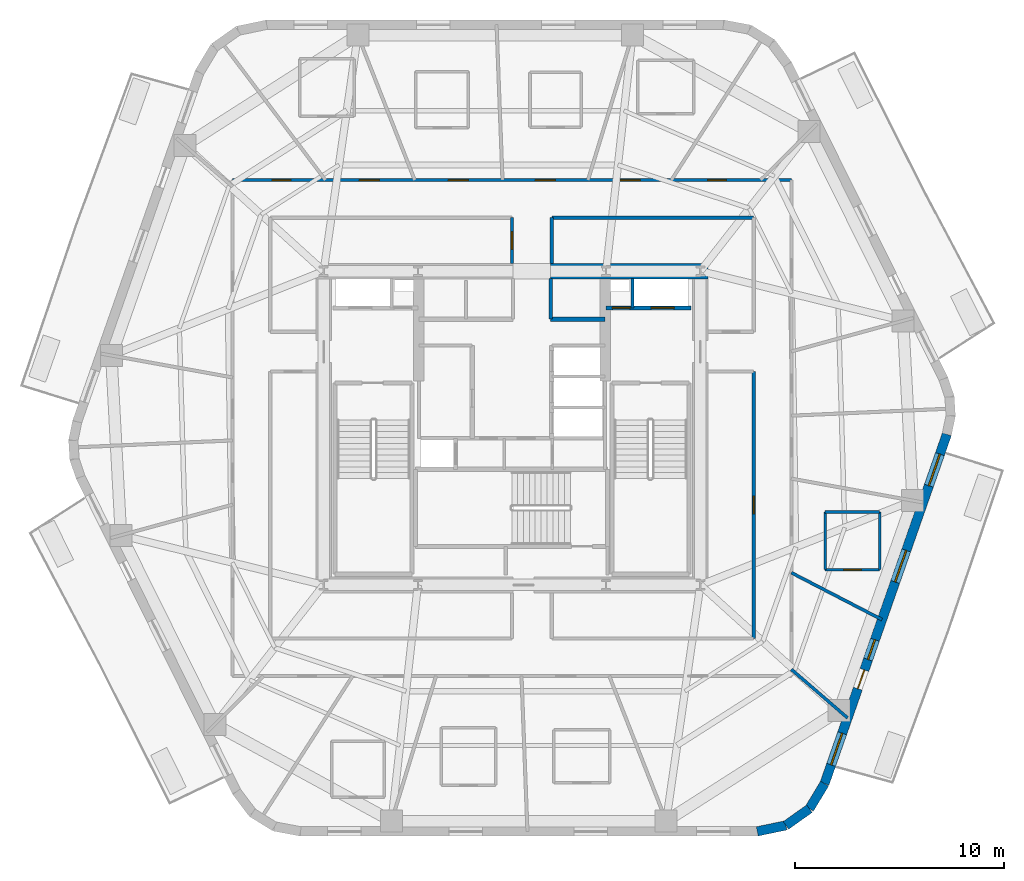
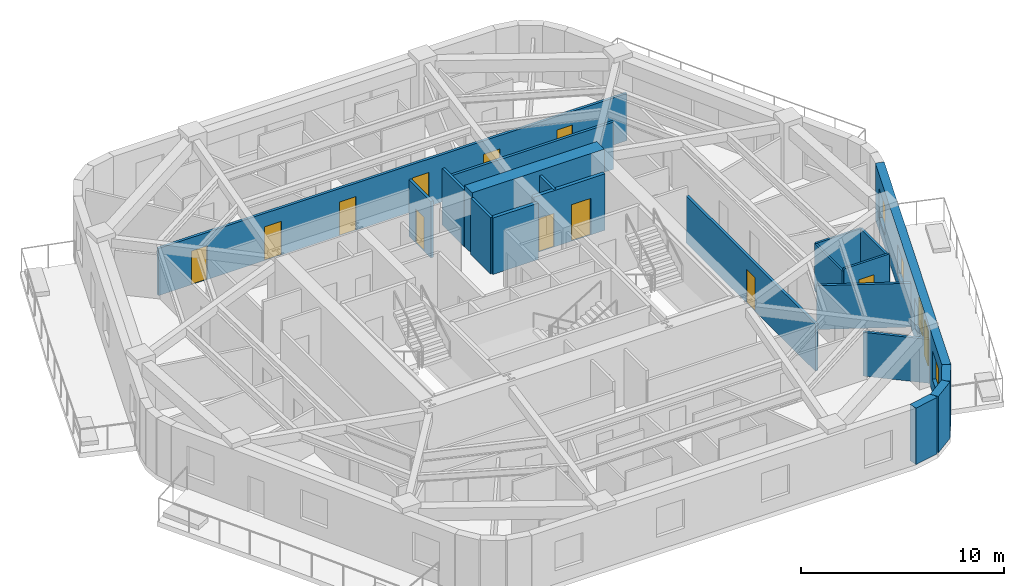
# One storey, part 5 of 10: 20 walls, 12 doors, 4 windows, 16 openings.
"""IFC4 building model written with IfcOpenShell, lengths in metres."""

from ifc_helpers import new_model, si_unit, direction, frame, frame_2d, origin, place, context, subcontext, project, spatial, rectangle, extrude, material, layer, layer_set, type_object, element, fill, save


model = new_model("IFC4")

# Units and contexts
model_context = context("Model", 3, precision=1e-05, world=origin(), true_north=direction((0.0, 1.0)))
body_context = subcontext(model_context, "Body", "Model", "MODEL_VIEW")
ifc_project = project(units=[si_unit("LENGTHUNIT", "METRE"), si_unit("AREAUNIT", "SQUARE_METRE"), si_unit("VOLUMEUNIT", "CUBIC_METRE"), si_unit("PLANEANGLEUNIT", "RADIAN"), si_unit("MASSUNIT", "GRAM", prefix="KILO")], contexts=[model_context])

# Site, building, storey
site_placement = place(None, origin())
site = spatial("IfcSite", under=ifc_project, at=site_placement, CompositionType="ELEMENT")
building_placement = place(site_placement, origin())
building = spatial("IfcBuilding", under=site, at=building_placement, Name="Kilnhurst Terrace Hotel", CompositionType="ELEMENT")
storey_placement = place(building_placement, frame((0.0, 0.0, 183.0)))
storey = spatial("IfcBuildingStorey", under=building, at=storey_placement, Name="L45", CompositionType="ELEMENT", Elevation=183.0)

# Walls
ifc_material_1 = material(Name="Precast concrete C40/50", Category="concrete")
ifc_layer_1 = layer(ifc_material_1, 0.449951171875, Name="Precast concrete C40/50")
ifc_layer_set_1 = layer_set([ifc_layer_1], Name="Precast concrete C40/50")
wall_type_1 = type_object("IfcWallType", Name="WL-BRK-450", PredefinedType="SOLIDWALL", material=ifc_layer_set_1)
wall_1_placement = place(storey_placement, frame((11.720458984375, -19.27490234375, 0.0), z_axis=(0.0, 0.0, 1.0), x_axis=(0.97893106758, 0.204191001093, 0.0)))
element("IfcWall", 1, at=wall_1_placement, inside=storey, type_object=wall_type_1, Name="L45 Rounded Corner Brick Wall C2.1", PredefinedType="SOLIDWALL", context=body_context, shape_type="SweptSolid", body=[
    extrude(rectangle(XDim=1.400146484375, YDim=0.449951171875, at=frame_2d((0.7001953125, 0.0))), origin(), (0.0, 0.0, 1.0), 3.39990234375),
])
wall_2_placement = place(storey_placement, frame((13.091064453125, -18.989013671875, 0.0), z_axis=(0.0, 0.0, 1.0), x_axis=(0.815574637848, 0.578651890258, 0.0)))
element("IfcWall", 2, at=wall_2_placement, inside=storey, type_object=wall_type_1, Name="L45 Rounded Corner Brick Wall C2.2", PredefinedType="SOLIDWALL", context=body_context, shape_type="SweptSolid", body=[
    extrude(rectangle(XDim=1.376708984375, YDim=0.449951171875, at=frame_2d((0.6884765625, 0.0))), origin(), (0.0, 0.0, 1.0), 3.39990234375),
])
wall_3_placement = place(storey_placement, frame((14.2138671875, -18.1923828125, 0.0), z_axis=(0.0, 0.0, 1.0), x_axis=(0.516340945502, 0.856383108193, 0.0)))
element("IfcWall", 3, at=wall_3_placement, inside=storey, type_object=wall_type_1, Name="L45 Rounded Corner Brick Wall C2.3", PredefinedType="SOLIDWALL", context=body_context, shape_type="SweptSolid", body=[
    extrude(rectangle(XDim=1.400146484375, YDim=0.449951171875, at=frame_2d((0.7001953125, 0.0))), origin(), (0.0, 0.0, 1.0), 3.39990234375),
])

# Wall, openings, door, windows
wall_4_placement = place(storey_placement, frame((14.936767578125, -16.993408203125, 0.0), z_axis=(0.0, 0.0, 1.0), x_axis=(0.330431575061, 0.943829949834, 0.0)))
wall_4 = element("IfcWall", 4, at=wall_4_placement, inside=storey, type_object=wall_type_1, Name="L45 Exterior Brick Facade Wall F2", PredefinedType="SOLIDWALL", context=body_context, shape_type="SweptSolid", body=[
    extrude(rectangle(XDim=17.68896484375, YDim=0.449951171875, at=frame_2d((8.844482421875, 0.0))), origin(), (0.0, 0.0, 1.0), 3.39990234375),
])
opening_1_placement = place(wall_4_placement, frame((4.806884765625, 0.0, 0.0)))
opening_1 = element("IfcOpeningElement", 5, at=opening_1_placement, cuts=wall_4, Name="Opening BD-950", PredefinedType="OPENING", context=body_context, shape_type="SweptSolid", body=[
    extrude(rectangle(XDim=0.949951171875, YDim=2.14990234375, at=frame_2d((0.47509765625, 1.074951171875))), frame((0.0, 0.23486328125, 0.0), z_axis=(0.0, -1.0, 0.0), x_axis=(1.0, 0.0, 0.0)), (0.0, 0.0, 1.0), 0.469970703125),
])
opening_2_placement = place(wall_4_placement, frame((0.949951171875, 0.0, 0.800048828125)))
opening_2 = element("IfcOpeningElement", 6, at=opening_2_placement, cuts=wall_4, Name="Opening W-05", PredefinedType="OPENING", context=body_context, shape_type="SweptSolid", body=[
    extrude(rectangle(XDim=1.60009765625, YDim=1.75, at=frame_2d((0.800048828125, 0.875))), frame((0.0, 0.23486328125, 0.0), z_axis=(0.0, -1.0, 0.0), x_axis=(1.0, 0.0, 0.0)), (0.0, 0.0, 1.0), 0.469970703125),
])
opening_3_placement = place(wall_4_placement, frame((6.285888671875, 0.0, 0.800048828125)))
opening_3 = element("IfcOpeningElement", 7, at=opening_3_placement, cuts=wall_4, Name="Opening W-08", PredefinedType="OPENING", context=body_context, shape_type="SweptSolid", body=[
    extrude(rectangle(XDim=1.0, YDim=1.64990234375, at=frame_2d((0.5, 0.824951171875))), frame((0.0, 0.23486328125, 0.0), z_axis=(0.0, -1.0, 0.0), x_axis=(1.0, 0.0, 0.0)), (0.0, 0.0, 1.0), 0.469970703125),
])
opening_4_placement = place(wall_4_placement, frame((10.2099609375, 0.0, 0.800048828125)))
opening_4 = element("IfcOpeningElement", 8, at=opening_4_placement, cuts=wall_4, Name="Opening W-05", PredefinedType="OPENING", context=body_context, shape_type="SweptSolid", body=[
    extrude(rectangle(XDim=1.60009765625, YDim=1.75, at=frame_2d((0.800048828125, 0.875))), frame((0.0, 0.23486328125, 0.0), z_axis=(0.0, -1.0, 0.0), x_axis=(1.0, 0.0, 0.0)), (0.0, 0.0, 1.0), 0.469970703125),
])
opening_5_placement = place(wall_4_placement, frame((15.083984375, 0.0, 0.800048828125)))
opening_5 = element("IfcOpeningElement", 9, at=opening_5_placement, cuts=wall_4, Name="Opening W-05", PredefinedType="OPENING", context=body_context, shape_type="SweptSolid", body=[
    extrude(rectangle(XDim=1.60009765625, YDim=1.75, at=frame_2d((0.800048828125, 0.875))), frame((0.0, 0.23486328125, 0.0), z_axis=(0.0, -1.0, 0.0), x_axis=(1.0, 0.0, 0.0)), (0.0, 0.0, 1.0), 0.469970703125),
])
ifc_material_2 = material(Name="Thermally Broken Bronze Aluminium Alloy 6063-T6 and Laminated Glass", Category="aluminium")
door_type_1 = type_object("IfcDoorType", Name="DR-EXT-BAL-950", OperationType="NOTDEFINED", PredefinedType="DOOR", material=ifc_material_2)
door_1_placement = place(opening_1_placement, origin())
door_1 = element("IfcDoor", 10, at=door_1_placement, inside=storey, type_object=door_type_1, Name="L45 Planted Balcony Door BAL-L1A", OperationType="SINGLE_SWING_RIGHT", OverallHeight=2.14990234375, OverallWidth=0.949951171875, PredefinedType="DOOR", context=body_context, shape_type="SweptSolid", body=[
    extrude(rectangle(XDim=0.949951171875, YDim=2.14990234375, at=frame_2d((0.47509765625, 1.074951171875))), frame((0.0, 0.02490234375, 0.0), z_axis=(0.0, -1.0, 0.0), x_axis=(1.0, 0.0, 0.0)), (0.0, 0.0, 1.0), 0.050048828125),
])
fill(opening_1, door_1)
ifc_material_3 = material(Name="Thermally Broken Bronze Aluminium Alloy 6063-T6 and Low-E Glass", Category="aluminium")
window_type_1 = type_object("IfcWindowType", Name="WIN-1000X1650", PartitioningType="SINGLE_PANEL", PredefinedType="WINDOW", material=ifc_material_3)
window_1_placement = place(opening_3_placement, origin())
window_1 = element("IfcWindow", 11, at=window_1_placement, inside=storey, type_object=window_type_1, Name="L45 Deep-Set Masonry Window F2.2", OverallHeight=1.64990234375, OverallWidth=1.0, PartitioningType="SINGLE_PANEL", PredefinedType="WINDOW", context=body_context, shape_type="SweptSolid", body=[
    extrude(rectangle(XDim=1.0, YDim=1.64990234375, at=frame_2d((0.5, 0.824951171875))), frame((0.0, 0.030029296875, 0.0), z_axis=(0.0, -1.0, 0.0), x_axis=(1.0, 0.0, 0.0)), (0.0, 0.0, 1.0), 0.06005859375),
])
fill(opening_3, window_1)
window_type_2 = type_object("IfcWindowType", Name="WIN-1600X1750", PartitioningType="SINGLE_PANEL", PredefinedType="WINDOW", material=ifc_material_3)
window_2_placement = place(opening_2_placement, origin())
window_2 = element("IfcWindow", 12, at=window_2_placement, inside=storey, type_object=window_type_2, Name="L45 Deep-Set Masonry Window F2.1", OverallHeight=1.75, OverallWidth=1.60009765625, PartitioningType="SINGLE_PANEL", PredefinedType="WINDOW", context=body_context, shape_type="SweptSolid", body=[
    extrude(rectangle(XDim=1.60009765625, YDim=1.75, at=frame_2d((0.800048828125, 0.875))), frame((0.0, 0.030029296875, 0.0), z_axis=(0.0, -1.0, 0.0), x_axis=(1.0, 0.0, 0.0)), (0.0, 0.0, 1.0), 0.06005859375),
])
fill(opening_2, window_2)
window_3_placement = place(opening_4_placement, origin())
window_3 = element("IfcWindow", 13, at=window_3_placement, inside=storey, type_object=window_type_2, Name="L45 Deep-Set Masonry Window F2.3", OverallHeight=1.75, OverallWidth=1.60009765625, PartitioningType="SINGLE_PANEL", PredefinedType="WINDOW", context=body_context, shape_type="SweptSolid", body=[
    extrude(rectangle(XDim=1.60009765625, YDim=1.75, at=frame_2d((0.800048828125, 0.875))), frame((0.0, 0.030029296875, 0.0), z_axis=(0.0, -1.0, 0.0), x_axis=(1.0, 0.0, 0.0)), (0.0, 0.0, 1.0), 0.06005859375),
])
fill(opening_4, window_3)
window_4_placement = place(opening_5_placement, origin())
window_4 = element("IfcWindow", 14, at=window_4_placement, inside=storey, type_object=window_type_2, Name="L45 Deep-Set Masonry Window F2.4", OverallHeight=1.75, OverallWidth=1.60009765625, PartitioningType="SINGLE_PANEL", PredefinedType="WINDOW", context=body_context, shape_type="SweptSolid", body=[
    extrude(rectangle(XDim=1.60009765625, YDim=1.75, at=frame_2d((0.800048828125, 0.875))), frame((0.0, 0.030029296875, 0.0), z_axis=(0.0, -1.0, 0.0), x_axis=(1.0, 0.0, 0.0)), (0.0, 0.0, 1.0), 0.06005859375),
])
fill(opening_5, window_4)

# Wall, openings, doors
ifc_material_4 = material(Name="Acoustic Double-Gypsum Corridor Partition Assembly")
ifc_layer_2 = layer(ifc_material_4, 0.14990234375, Name="Acoustic Double-Gypsum Corridor Partition Assembly")
ifc_layer_set_2 = layer_set([ifc_layer_2], Name="Acoustic Double-Gypsum Corridor Partition Assembly")
wall_type_2 = type_object("IfcWallType", Name="WL-COR-150", PredefinedType="PARTITIONING", material=ifc_layer_set_2)
wall_5_placement = place(storey_placement, frame((-13.35009765625, 11.85009765625, 0.0), z_axis=(0.0, 0.0, 1.0), x_axis=(1.0, 0.0, 0.0)))
wall_5 = element("IfcWall", 15, at=wall_5_placement, inside=storey, type_object=wall_type_2, Name="L45 Interior Wall WL-L45-COR-03", PredefinedType="PARTITIONING", context=body_context, shape_type="SweptSolid", body=[
    extrude(rectangle(XDim=26.7001953125, YDim=0.14990234375, at=frame_2d((13.35009765625, 0.0))), origin(), (0.0, 0.0, 1.0), 2.840087890625),
])
opening_6_placement = place(wall_5_placement, frame((22.699951171875, 0.0, 0.0)))
opening_6 = element("IfcOpeningElement", 16, at=opening_6_placement, cuts=wall_5, Name="Opening D-60C", PredefinedType="OPENING", context=body_context, shape_type="SweptSolid", body=[
    extrude(rectangle(XDim=0.89990234375, YDim=2.030029296875, at=frame_2d((0.449951171875, 1.01513671875))), frame((0.0, 0.0849609375, 0.0), z_axis=(0.0, -1.0, 0.0), x_axis=(1.0, 0.0, 0.0)), (0.0, 0.0, 1.0), 0.169921875),
])
opening_7_placement = place(wall_5_placement, frame((18.52294921875, 0.0, 0.0)))
opening_7 = element("IfcOpeningElement", 17, at=opening_7_placement, cuts=wall_5, Name="Opening D-60B", PredefinedType="OPENING", context=body_context, shape_type="SweptSolid", body=[
    extrude(rectangle(XDim=0.949951171875, YDim=2.030029296875, at=frame_2d((0.47509765625, 1.01513671875))), frame((0.0, 0.0849609375, 0.0), z_axis=(0.0, -1.0, 0.0), x_axis=(1.0, 0.0, 0.0)), (0.0, 0.0, 1.0), 0.169921875),
])
opening_8_placement = place(wall_5_placement, frame((14.468994140625, 0.0, 0.0)))
opening_8 = element("IfcOpeningElement", 18, at=opening_8_placement, cuts=wall_5, Name="Opening D-60B", PredefinedType="OPENING", context=body_context, shape_type="SweptSolid", body=[
    extrude(rectangle(XDim=0.949951171875, YDim=2.030029296875, at=frame_2d((0.47509765625, 1.01513671875))), frame((0.0, 0.0849609375, 0.0), z_axis=(0.0, -1.0, 0.0), x_axis=(1.0, 0.0, 0.0)), (0.0, 0.0, 1.0), 0.169921875),
])
opening_9_placement = place(wall_5_placement, frame((10.31396484375, 0.0, 0.0)))
opening_9 = element("IfcOpeningElement", 19, at=opening_9_placement, cuts=wall_5, Name="Opening D-60B", PredefinedType="OPENING", context=body_context, shape_type="SweptSolid", body=[
    extrude(rectangle(XDim=0.949951171875, YDim=2.030029296875, at=frame_2d((0.47509765625, 1.01513671875))), frame((0.0, 0.0849609375, 0.0), z_axis=(0.0, -1.0, 0.0), x_axis=(1.0, 0.0, 0.0)), (0.0, 0.0, 1.0), 0.169921875),
])
opening_10_placement = place(wall_5_placement, frame((6.06103515625, 0.0, 0.0)))
opening_10 = element("IfcOpeningElement", 20, at=opening_10_placement, cuts=wall_5, Name="Opening D-60B", PredefinedType="OPENING", context=body_context, shape_type="SweptSolid", body=[
    extrude(rectangle(XDim=0.949951171875, YDim=2.030029296875, at=frame_2d((0.47509765625, 1.01513671875))), frame((0.0, 0.0849609375, 0.0), z_axis=(0.0, -1.0, 0.0), x_axis=(1.0, 0.0, 0.0)), (0.0, 0.0, 1.0), 0.169921875),
])
opening_11_placement = place(wall_5_placement, frame((1.885986328125, 0.0, 0.0)))
opening_11 = element("IfcOpeningElement", 21, at=opening_11_placement, cuts=wall_5, Name="Opening D-60C", PredefinedType="OPENING", context=body_context, shape_type="SweptSolid", body=[
    extrude(rectangle(XDim=0.89990234375, YDim=2.030029296875, at=frame_2d((0.449951171875, 1.01513671875))), frame((0.0, 0.0849609375, 0.0), z_axis=(0.0, -1.0, 0.0), x_axis=(1.0, 0.0, 0.0)), (0.0, 0.0, 1.0), 0.169921875),
])
ifc_material_5 = material(Name="Painted Solid-Core Service Fire Door")
door_type_2 = type_object("IfcDoorType", Name="DR-FD60-900", OperationType="NOTDEFINED", PredefinedType="DOOR", material=ifc_material_5)
door_2_placement = place(opening_6_placement, origin())
door_2 = element("IfcDoor", 22, at=door_2_placement, inside=storey, type_object=door_type_2, Name="L45 Botanical Reading Lounge Door 3", OperationType="SINGLE_SWING_LEFT", OverallHeight=2.030029296875, OverallWidth=0.89990234375, PredefinedType="DOOR", context=body_context, shape_type="SweptSolid", body=[
    extrude(rectangle(XDim=0.89990234375, YDim=2.030029296875, at=frame_2d((0.449951171875, 1.01513671875))), frame((0.0, 0.02490234375, 0.0), z_axis=(0.0, -1.0, 0.0), x_axis=(1.0, 0.0, 0.0)), (0.0, 0.0, 1.0), 0.050048828125),
])
fill(opening_6, door_2)
door_3_placement = place(opening_11_placement, origin())
door_3 = element("IfcDoor", 23, at=door_3_placement, inside=storey, type_object=door_type_2, Name="L45 Private Meeting Salon Door 8", OperationType="SINGLE_SWING_RIGHT", OverallHeight=2.030029296875, OverallWidth=0.89990234375, PredefinedType="DOOR", context=body_context, shape_type="SweptSolid", body=[
    extrude(rectangle(XDim=0.89990234375, YDim=2.030029296875, at=frame_2d((0.449951171875, 1.01513671875))), frame((0.0, 0.02490234375, 0.0), z_axis=(0.0, -1.0, 0.0), x_axis=(1.0, 0.0, 0.0)), (0.0, 0.0, 1.0), 0.050048828125),
])
fill(opening_11, door_3)
ifc_material_6 = material(Name="Acoustic Walnut Veneer Solid-Core Fire Door")
door_type_3 = type_object("IfcDoorType", Name="DR-FD60-950", OperationType="NOTDEFINED", PredefinedType="DOOR", material=ifc_material_6)
door_4_placement = place(opening_7_placement, origin())
door_4 = element("IfcDoor", 24, at=door_4_placement, inside=storey, type_object=door_type_3, Name="L45 Guest Room Entry Door 4", OperationType="SINGLE_SWING_RIGHT", OverallHeight=2.030029296875, OverallWidth=0.949951171875, PredefinedType="DOOR", context=body_context, shape_type="SweptSolid", body=[
    extrude(rectangle(XDim=0.949951171875, YDim=2.030029296875, at=frame_2d((0.47509765625, 1.01513671875))), frame((0.0, 0.02490234375, 0.0), z_axis=(0.0, -1.0, 0.0), x_axis=(1.0, 0.0, 0.0)), (0.0, 0.0, 1.0), 0.050048828125),
])
fill(opening_7, door_4)
door_5_placement = place(opening_8_placement, origin())
door_5 = element("IfcDoor", 25, at=door_5_placement, inside=storey, type_object=door_type_3, Name="L45 Guest Room Entry Door 5", OperationType="SINGLE_SWING_LEFT", OverallHeight=2.030029296875, OverallWidth=0.949951171875, PredefinedType="DOOR", context=body_context, shape_type="SweptSolid", body=[
    extrude(rectangle(XDim=0.949951171875, YDim=2.030029296875, at=frame_2d((0.47509765625, 1.01513671875))), frame((0.0, 0.02490234375, 0.0), z_axis=(0.0, -1.0, 0.0), x_axis=(1.0, 0.0, 0.0)), (0.0, 0.0, 1.0), 0.050048828125),
])
fill(opening_8, door_5)
door_6_placement = place(opening_9_placement, origin())
door_6 = element("IfcDoor", 26, at=door_6_placement, inside=storey, type_object=door_type_3, Name="L45 Guest Room Entry Door 6", OperationType="SINGLE_SWING_RIGHT", OverallHeight=2.030029296875, OverallWidth=0.949951171875, PredefinedType="DOOR", context=body_context, shape_type="SweptSolid", body=[
    extrude(rectangle(XDim=0.949951171875, YDim=2.030029296875, at=frame_2d((0.47509765625, 1.01513671875))), frame((0.0, 0.02490234375, 0.0), z_axis=(0.0, -1.0, 0.0), x_axis=(1.0, 0.0, 0.0)), (0.0, 0.0, 1.0), 0.050048828125),
])
fill(opening_9, door_6)
door_7_placement = place(opening_10_placement, origin())
door_7 = element("IfcDoor", 27, at=door_7_placement, inside=storey, type_object=door_type_3, Name="L45 Guest Room Entry Door 7", OperationType="SINGLE_SWING_LEFT", OverallHeight=2.030029296875, OverallWidth=0.949951171875, PredefinedType="DOOR", context=body_context, shape_type="SweptSolid", body=[
    extrude(rectangle(XDim=0.949951171875, YDim=2.030029296875, at=frame_2d((0.47509765625, 1.01513671875))), frame((0.0, 0.02490234375, 0.0), z_axis=(0.0, -1.0, 0.0), x_axis=(1.0, 0.0, 0.0)), (0.0, 0.0, 1.0), 0.050048828125),
])
fill(opening_10, door_7)

# Wall, opening, door
wall_6_placement = place(storey_placement, frame((11.550048828125, -10.050048828125, 0.0), z_axis=(0.0, 0.0, 1.0), x_axis=(0.0, 1.0, 0.0)))
wall_6 = element("IfcWall", 28, at=wall_6_placement, inside=storey, type_object=wall_type_2, Name="L45 Interior Wall WL-L45-COR-05", PredefinedType="PARTITIONING", context=body_context, shape_type="SweptSolid", body=[
    extrude(rectangle(XDim=12.75, YDim=0.14990234375, at=frame_2d((6.375, 0.0))), origin(), (0.0, 0.0, 1.0), 2.840087890625),
])
opening_12_placement = place(wall_6_placement, frame((5.949951171875, 0.0, 0.0)))
opening_12 = element("IfcOpeningElement", 29, at=opening_12_placement, cuts=wall_6, Name="Opening D-60D", PredefinedType="OPENING", context=body_context, shape_type="SweptSolid", body=[
    extrude(rectangle(XDim=0.85009765625, YDim=2.030029296875, at=frame_2d((0.425048828125, 1.01513671875))), frame((0.0, 0.0849609375, 0.0), z_axis=(0.0, -1.0, 0.0), x_axis=(1.0, 0.0, 0.0)), (0.0, 0.0, 1.0), 0.169921875),
])
ifc_material_7 = material(Name="Painted Hollow Metal Steel ASTM A36 Riser Door", Category="steel")
door_type_4 = type_object("IfcDoorType", Name="DR-FD60-850", OperationType="NOTDEFINED", PredefinedType="DOOR", material=ifc_material_7)
door_8_placement = place(opening_12_placement, origin())
door_8 = element("IfcDoor", 30, at=door_8_placement, inside=storey, type_object=door_type_4, Name="L45 Floor Electrical Switch Room Door", OperationType="SINGLE_SWING_RIGHT", OverallHeight=2.030029296875, OverallWidth=0.85009765625, PredefinedType="DOOR", context=body_context, shape_type="SweptSolid", body=[
    extrude(rectangle(XDim=0.85009765625, YDim=2.030029296875, at=frame_2d((0.425048828125, 1.01513671875))), frame((0.0, 0.02490234375, 0.0), z_axis=(0.0, -1.0, 0.0), x_axis=(1.0, 0.0, 0.0)), (0.0, 0.0, 1.0), 0.050048828125),
])
fill(opening_12, door_8)

# Walls
wall_7_placement = place(storey_placement, frame((11.550048828125, 10.050048828125, 0.0), z_axis=(0.0, 0.0, 1.0), x_axis=(-1.0, 0.0, 0.0)))
element("IfcWall", 31, at=wall_7_placement, inside=storey, type_object=wall_type_2, Name="L45 Interior Wall WL-L45-COR-09", PredefinedType="PARTITIONING", context=body_context, shape_type="SweptSolid", body=[
    extrude(rectangle(XDim=9.650146484375, YDim=0.14990234375, at=frame_2d((4.8251953125, 0.0))), origin(), (0.0, 0.0, 1.0), 2.840087890625),
])
wall_8_placement = place(storey_placement, frame((1.89990234375, 10.050048828125, 0.0), z_axis=(0.0, 0.0, 1.0), x_axis=(0.0, -1.0, 0.0)))
element("IfcWall", 32, at=wall_8_placement, inside=storey, type_object=wall_type_2, Name="L45 Interior Wall WL-L45-COR-10", PredefinedType="PARTITIONING", context=body_context, shape_type="SweptSolid", body=[
    extrude(rectangle(XDim=2.175048828125, YDim=0.14990234375, at=frame_2d((1.08740234375, 0.0))), origin(), (0.0, 0.0, 1.0), 3.39990234375),
])

# Wall, opening, door
wall_9_placement = place(storey_placement, frame((0.0, 7.875, 0.0), z_axis=(0.0, 0.0, 1.0), x_axis=(0.0, 1.0, 0.0)))
wall_9 = element("IfcWall", 33, at=wall_9_placement, inside=storey, type_object=wall_type_2, Name="L45 Interior Wall WL-L45-COR-11", PredefinedType="PARTITIONING", context=body_context, shape_type="SweptSolid", body=[
    extrude(rectangle(XDim=2.175048828125, YDim=0.14990234375, at=frame_2d((1.08740234375, 0.0))), origin(), (0.0, 0.0, 1.0), 3.39990234375),
])
opening_13_placement = place(wall_9_placement, frame((0.6630859375, 0.0, 0.0)))
opening_13 = element("IfcOpeningElement", 34, at=opening_13_placement, cuts=wall_9, Name="Opening D-60D", PredefinedType="OPENING", context=body_context, shape_type="SweptSolid", body=[
    extrude(rectangle(XDim=0.85009765625, YDim=2.030029296875, at=frame_2d((0.425048828125, 1.01513671875))), frame((0.0, 0.0849609375, 0.0), z_axis=(0.0, -1.0, 0.0), x_axis=(1.0, 0.0, 0.0)), (0.0, 0.0, 1.0), 0.169921875),
])
door_9_placement = place(opening_13_placement, origin())
door_9 = element("IfcDoor", 35, at=door_9_placement, inside=storey, type_object=door_type_4, Name="L45 Floor Valet Equipment Store Door", OperationType="SINGLE_SWING_RIGHT", OverallHeight=2.030029296875, OverallWidth=0.85009765625, PredefinedType="DOOR", context=body_context, shape_type="SweptSolid", body=[
    extrude(rectangle(XDim=0.85009765625, YDim=2.030029296875, at=frame_2d((0.425048828125, 1.01513671875))), frame((0.0, 0.02490234375, 0.0), z_axis=(0.0, -1.0, 0.0), x_axis=(1.0, 0.0, 0.0)), (0.0, 0.0, 1.0), 0.050048828125),
])
fill(opening_13, door_9)

# Walls
ifc_material_8 = material(Name="Concrete C60/75", Category="concrete")
ifc_layer_3 = layer(ifc_material_8, 0.75, Name="Concrete C60/75")
ifc_layer_set_3 = layer_set([ifc_layer_3], Name="Concrete C60/75")
wall_type_3 = type_object("IfcWallType", Name="WL-CORE-750", PredefinedType="SHEAR", material=ifc_layer_set_3)
wall_10_placement = place(storey_placement, frame((1.85009765625, 7.5, 0.0), z_axis=(0.0, 0.0, 1.0), x_axis=(1.0, 0.0, 0.0)))
element("IfcWall", 36, at=wall_10_placement, inside=storey, type_object=wall_type_3, Name="L45 Core North East Shear Wall", PredefinedType="SHEAR", context=body_context, shape_type="SweptSolid", body=[
    extrude(rectangle(XDim=7.52490234375, YDim=0.75, at=frame_2d((3.762451171875, 0.0))), origin(), (0.0, 0.0, 1.0), 3.699951171875),
])
ifc_material_9 = material(Name="STC-58 Acoustic Twin-Frame Guestroom Demising Partition")
ifc_layer_4 = layer(ifc_material_9, 0.14990234375, Name="STC-58 Acoustic Twin-Frame Guestroom Demising Partition")
ifc_layer_set_4 = layer_set([ifc_layer_4], Name="STC-58 Acoustic Twin-Frame Guestroom Demising Partition")
wall_type_4 = type_object("IfcWallType", Name="WL-DEM-150", PredefinedType="PARTITIONING", material=ifc_layer_set_4)
wall_11_placement = place(storey_placement, frame((13.35009765625, -11.53271484375, 0.0), z_axis=(0.0, 0.0, 1.0), x_axis=(0.756711647314, -0.65374879183, 0.0)))
element("IfcWall", 37, at=wall_11_placement, inside=storey, type_object=wall_type_4, Name="L45 Interior Wall WL-L45-DEM-COL11-18-1", PredefinedType="PARTITIONING", context=body_context, shape_type="SweptSolid", body=[
    extrude(rectangle(XDim=3.549560546875, YDim=0.14990234375, at=frame_2d((1.77490234375, 0.0))), origin(), (0.0, 0.0, 1.0), 2.639892578125),
])
wall_12_placement = place(storey_placement, frame((13.35009765625, -6.9130859375, 0.0), z_axis=(0.0, 0.0, 1.0), x_axis=(0.887989298603, -0.459864116415, 0.0)))
element("IfcWall", 38, at=wall_12_placement, inside=storey, type_object=wall_type_4, Name="L45 Interior Wall WL-L45-DEM-MID11-19-1", PredefinedType="PARTITIONING", context=body_context, shape_type="SweptSolid", body=[
    extrude(rectangle(XDim=4.876708984375, YDim=0.14990234375, at=frame_2d((2.4384765625, 0.0))), origin(), (0.0, 0.0, 1.0), 2.639892578125),
])

# Wall, opening, door
ifc_material_10 = material(Name="120 mm Moisture-Resistant Tile-Backed Bathroom Partition")
ifc_layer_5 = layer(ifc_material_10, 0.1201171875, Name="120 mm Moisture-Resistant Tile-Backed Bathroom Partition")
ifc_layer_set_5 = layer_set([ifc_layer_5], Name="120 mm Moisture-Resistant Tile-Backed Bathroom Partition")
wall_type_5 = type_object("IfcWallType", Name="WL-PART-120", PredefinedType="PARTITIONING", material=ifc_layer_set_5)
wall_13_placement = place(storey_placement, frame((14.968994140625, -6.761962890625, 0.0), z_axis=(0.0, 0.0, 1.0), x_axis=(1.0, 0.0, 0.0)))
wall_13 = element("IfcWall", 39, at=wall_13_placement, inside=storey, type_object=wall_type_5, Name="L45 Interior Wall WL-L45-BTH-19-1", PredefinedType="PARTITIONING", context=body_context, shape_type="SweptSolid", body=[
    extrude(rectangle(XDim=2.60009765625, YDim=0.1201171875, at=frame_2d((1.300048828125, 0.0))), origin(), (0.0, 0.0, 1.0), 2.972412109375),
])
opening_14_placement = place(wall_13_placement, frame((0.875, 0.0, 0.0)))
opening_14 = element("IfcOpeningElement", 40, at=opening_14_placement, cuts=wall_13, Name="Opening D-08A", PredefinedType="OPENING", context=body_context, shape_type="SweptSolid", body=[
    extrude(rectangle(XDim=0.85009765625, YDim=2.030029296875, at=frame_2d((0.425048828125, 1.01513671875))), frame((0.0, 0.070068359375, 0.0), z_axis=(0.0, -1.0, 0.0), x_axis=(1.0, 0.0, 0.0)), (0.0, 0.0, 1.0), 0.14013671875),
])
ifc_material_11 = material(Name="Moisture-Resistant Lacquered En-suite Bathroom Door")
door_type_5 = type_object("IfcDoorType", Name="DR-INT-850", OperationType="NOTDEFINED", PredefinedType="DOOR", material=ifc_material_11)
door_10_placement = place(opening_14_placement, origin())
door_10 = element("IfcDoor", 41, at=door_10_placement, inside=storey, type_object=door_type_5, Name="L45 En-suite Bathroom Door 19", OperationType="SINGLE_SWING_RIGHT", OverallHeight=2.030029296875, OverallWidth=0.85009765625, PredefinedType="DOOR", context=body_context, shape_type="SweptSolid", body=[
    extrude(rectangle(XDim=0.85009765625, YDim=2.030029296875, at=frame_2d((0.425048828125, 1.01513671875))), frame((0.0, 0.02490234375, 0.0), z_axis=(0.0, -1.0, 0.0), x_axis=(1.0, 0.0, 0.0)), (0.0, 0.0, 1.0), 0.050048828125),
])
fill(opening_14, door_10)

# Walls
wall_14_placement = place(storey_placement, frame((17.569091796875, -6.761962890625, 0.0), z_axis=(0.0, 0.0, 1.0), x_axis=(0.0, 1.0, 0.0)))
element("IfcWall", 42, at=wall_14_placement, inside=storey, type_object=wall_type_5, Name="L45 Interior Wall WL-L45-BTH-19-2", PredefinedType="PARTITIONING", context=body_context, shape_type="SweptSolid", body=[
    extrude(rectangle(XDim=2.75, YDim=0.1201171875, at=frame_2d((1.375, 0.0))), origin(), (0.0, 0.0, 1.0), 2.840087890625),
])
wall_15_placement = place(storey_placement, frame((17.569091796875, -4.011962890625, 0.0), z_axis=(0.0, 0.0, 1.0), x_axis=(-1.0, 0.0, 0.0)))
element("IfcWall", 43, at=wall_15_placement, inside=storey, type_object=wall_type_5, Name="L45 Interior Wall WL-L45-BTH-19-3", PredefinedType="PARTITIONING", context=body_context, shape_type="SweptSolid", body=[
    extrude(rectangle(XDim=2.60009765625, YDim=0.1201171875, at=frame_2d((1.300048828125, 0.0))), origin(), (0.0, 0.0, 1.0), 2.840087890625),
])
wall_16_placement = place(storey_placement, frame((14.968994140625, -4.011962890625, 0.0), z_axis=(0.0, 0.0, 1.0), x_axis=(0.0, -1.0, 0.0)))
element("IfcWall", 44, at=wall_16_placement, inside=storey, type_object=wall_type_5, Name="L45 Interior Wall WL-L45-BTH-19-4", PredefinedType="PARTITIONING", context=body_context, shape_type="SweptSolid", body=[
    extrude(rectangle(XDim=2.75, YDim=0.1201171875, at=frame_2d((1.375, 0.0))), origin(), (0.0, 0.0, 1.0), 2.840087890625),
])
ifc_material_12 = material(Name="Fire-Rated Gypsum Shaftliner Assembly")
ifc_layer_6 = layer(ifc_material_12, 0.14990234375, Name="Fire-Rated Gypsum Shaftliner Assembly")
ifc_layer_set_6 = layer_set([ifc_layer_6], Name="Fire-Rated Gypsum Shaftliner Assembly")
wall_type_6 = type_object("IfcWallType", Name="WL-SHAFT-150", PredefinedType="PARTITIONING", material=ifc_layer_set_6)
wall_17_placement = place(storey_placement, frame((5.75, 5.739990234375, 0.0), z_axis=(0.0, 0.0, 1.0), x_axis=(0.0, 1.0, 0.0)))
element("IfcWall", 45, at=wall_17_placement, inside=storey, type_object=wall_type_6, Name="L45 Interior Wall WL-L45-RIS2-DIV", PredefinedType="PARTITIONING", context=body_context, shape_type="SweptSolid", body=[
    extrude(rectangle(XDim=1.409912109375, YDim=0.14990234375, at=frame_2d((0.705078125, 0.0))), origin(), (0.0, 0.0, 1.0), 3.39990234375),
])
wall_18_placement = place(storey_placement, frame((1.85009765625, 5.199951171875, 0.0), z_axis=(0.0, 0.0, 1.0), x_axis=(0.0, 1.0, 0.0)))
element("IfcWall", 46, at=wall_18_placement, inside=storey, type_object=wall_type_6, Name="L45 Interior Wall WL-L45-HR-PORTAL-E", PredefinedType="PARTITIONING", context=body_context, shape_type="SweptSolid", body=[
    extrude(rectangle(XDim=1.949951171875, YDim=0.14990234375, at=frame_2d((0.97509765625, 0.0))), origin(), (0.0, 0.0, 1.0), 3.39990234375),
])

# Wall, openings, doors
ifc_material_13 = material(Name="Autoclaved Aerated Concrete C30/37 and Gypsum Shaft Assembly", Category="concrete")
ifc_layer_7 = layer(ifc_material_13, 0.199951171875, Name="Autoclaved Aerated Concrete C30/37 and Gypsum Shaft Assembly")
ifc_layer_set_7 = layer_set([ifc_layer_7], Name="Autoclaved Aerated Concrete C30/37 and Gypsum Shaft Assembly")
wall_type_7 = type_object("IfcWallType", Name="WL-SHAFT-200", PredefinedType="PARTITIONING", material=ifc_layer_set_7)
wall_19_placement = place(storey_placement, frame((4.5, 5.739990234375, 0.0), z_axis=(0.0, 0.0, 1.0), x_axis=(1.0, 0.0, 0.0)))
wall_19 = element("IfcWall", 47, at=wall_19_placement, inside=storey, type_object=wall_type_7, Name="L45 Interior Wall WL-L45-FSAE2-S", PredefinedType="PARTITIONING", context=body_context, shape_type="SweptSolid", body=[
    extrude(rectangle(XDim=4.050048828125, YDim=0.199951171875, at=frame_2d((2.02490234375, 0.0))), origin(), (0.0, 0.0, 1.0), 3.39990234375),
])
opening_15_placement = place(wall_19_placement, frame((0.300048828125, 0.0, 0.0)))
opening_15 = element("IfcOpeningElement", 48, at=opening_15_placement, cuts=wall_19, Name="Opening D-60D", PredefinedType="OPENING", context=body_context, shape_type="SweptSolid", body=[
    extrude(rectangle(XDim=0.85009765625, YDim=2.030029296875, at=frame_2d((0.425048828125, 1.01513671875))), frame((0.0, 0.10986328125, 0.0), z_axis=(0.0, -1.0, 0.0), x_axis=(1.0, 0.0, 0.0)), (0.0, 0.0, 1.0), 0.219970703125),
])
opening_16_placement = place(wall_19_placement, frame((2.14990234375, 0.0, 0.0)))
opening_16 = element("IfcOpeningElement", 49, at=opening_16_placement, cuts=wall_19, Name="Opening LD-F2", PredefinedType="OPENING", context=body_context, shape_type="SweptSolid", body=[
    extrude(rectangle(XDim=1.10009765625, YDim=2.199951171875, at=frame_2d((0.550048828125, 1.10009765625))), frame((0.0, 0.10986328125, 0.0), z_axis=(0.0, -1.0, 0.0), x_axis=(1.0, 0.0, 0.0)), (0.0, 0.0, 1.0), 0.219970703125),
])
door_11_placement = place(opening_15_placement, origin())
door_11 = element("IfcDoor", 50, at=door_11_placement, inside=storey, type_object=door_type_4, Name="L45 Telecom Riser Door", OperationType="SINGLE_SWING_RIGHT", OverallHeight=2.030029296875, OverallWidth=0.85009765625, PredefinedType="DOOR", context=body_context, shape_type="SweptSolid", body=[
    extrude(rectangle(XDim=0.85009765625, YDim=2.030029296875, at=frame_2d((0.425048828125, 1.01513671875))), frame((0.0, 0.02490234375, 0.0), z_axis=(0.0, -1.0, 0.0), x_axis=(1.0, 0.0, 0.0)), (0.0, 0.0, 1.0), 0.050048828125),
])
fill(opening_15, door_11)
ifc_material_14 = material(Name="Bronze-Anodized Stainless Steel AISI 316L Sliding Door", Category="steel")
door_type_6 = type_object("IfcDoorType", Name="DR-LIFT-1100", OperationType="NOTDEFINED", PredefinedType="DOOR", material=ifc_material_14)
door_12_placement = place(opening_16_placement, origin())
door_12 = element("IfcDoor", 51, at=door_12_placement, inside=storey, type_object=door_type_6, Name="L45 FSAE-2 Landing Door", OperationType="SLIDING_TO_RIGHT", OverallHeight=2.199951171875, OverallWidth=1.10009765625, PredefinedType="DOOR", context=body_context, shape_type="SweptSolid", body=[
    extrude(rectangle(XDim=1.10009765625, YDim=2.199951171875, at=frame_2d((0.550048828125, 1.10009765625))), frame((0.0, 0.02490234375, 0.0), z_axis=(0.0, -1.0, 0.0), x_axis=(1.0, 0.0, 0.0)), (0.0, 0.0, 1.0), 0.050048828125),
])
fill(opening_16, door_12)

# Wall
wall_20_placement = place(storey_placement, frame((1.85009765625, 5.199951171875, 0.0), z_axis=(0.0, 0.0, 1.0), x_axis=(1.0, 0.0, 0.0)))
element("IfcWall", 52, at=wall_20_placement, inside=storey, type_object=wall_type_7, Name="L45 Interior Wall WL-L45-HR-SE", PredefinedType="PARTITIONING", context=body_context, shape_type="SweptSolid", body=[
    extrude(rectangle(XDim=2.599853515625, YDim=0.199951171875, at=frame_2d((1.2998046875, 0.0))), origin(), (0.0, 0.0, 1.0), 3.39990234375),
])

save(model, "model.ifc")
